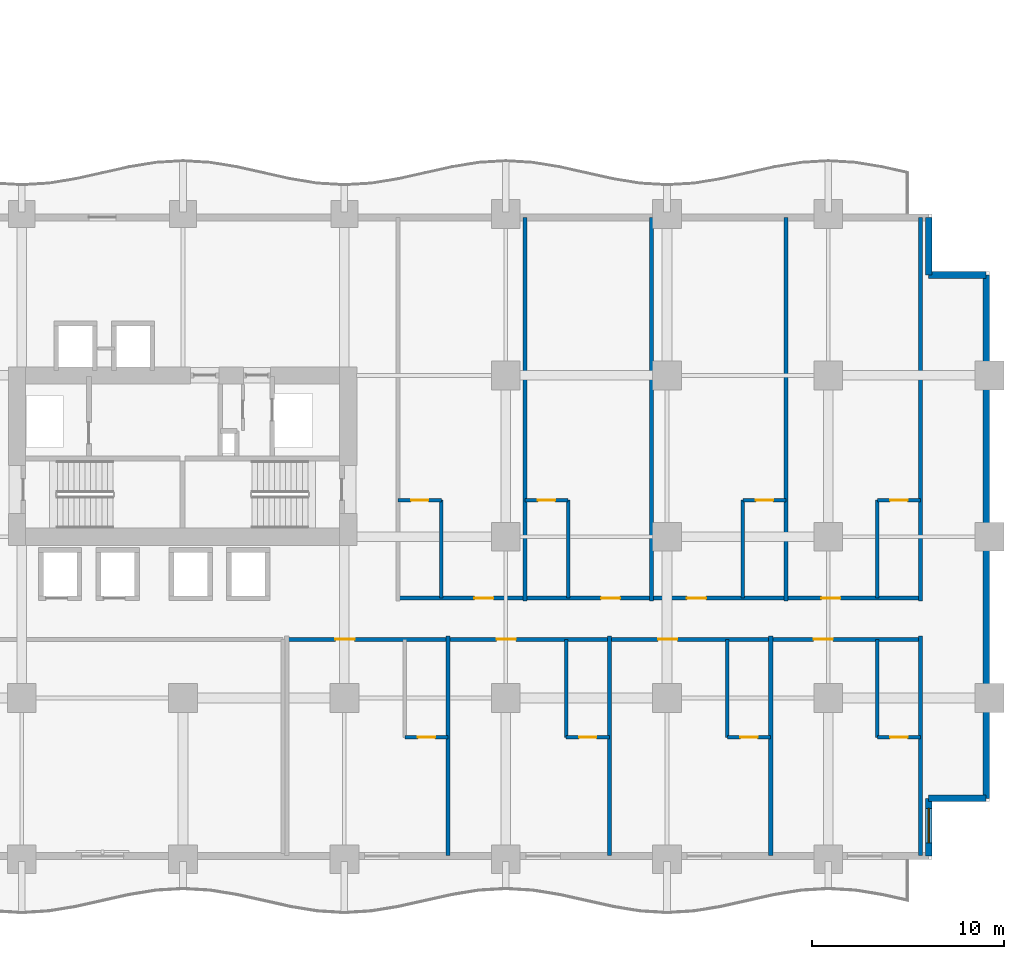
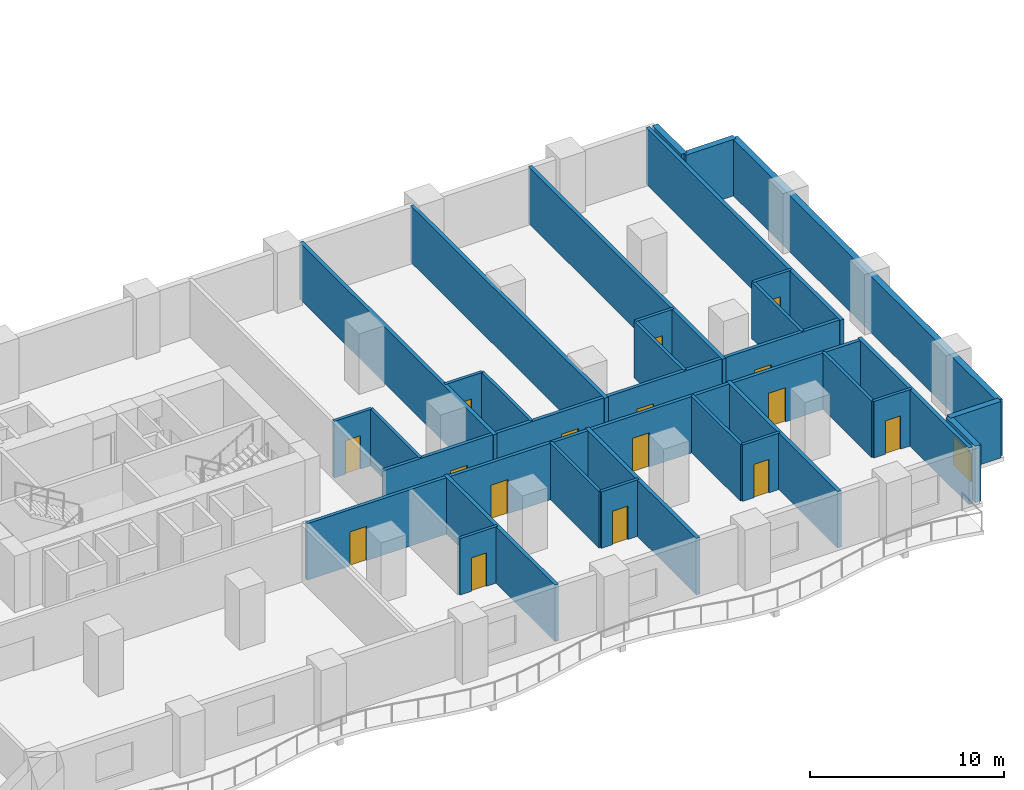
# One storey, part 13 of 21: 30 walls, 16 doors, 1 window, 17 openings.
"""IFC4 building model written with IfcOpenShell, lengths in metres."""

from ifc_helpers import new_model, si_unit, direction, frame, frame_2d, origin, place, context, subcontext, project, spatial, rectangle, extrude, material, layer, layer_set, type_object, element, fill, save


model = new_model("IFC4")

# Units and contexts
model_context = context("Model", 3, precision=1e-05, world=origin(), true_north=direction((0.0, 1.0)))
body_context = subcontext(model_context, "Body", "Model", "MODEL_VIEW")
ifc_project = project(units=[si_unit("LENGTHUNIT", "METRE"), si_unit("AREAUNIT", "SQUARE_METRE"), si_unit("VOLUMEUNIT", "CUBIC_METRE"), si_unit("PLANEANGLEUNIT", "RADIAN"), si_unit("MASSUNIT", "GRAM", prefix="KILO")], contexts=[model_context])

# Site, building, storey
site_placement = place(None, origin())
site = spatial("IfcSite", under=ifc_project, at=site_placement, CompositionType="ELEMENT")
building_placement = place(site_placement, origin())
building = spatial("IfcBuilding", under=site, at=building_placement, Name="Koriwani Terraces Tower", CompositionType="ELEMENT")
storey_placement = place(building_placement, frame((0.0, 0.0, 77.60009765625)))
storey = spatial("IfcBuildingStorey", under=building, at=storey_placement, Name="L18", CompositionType="ELEMENT", Elevation=77.60009765625)

# Wall, openings, doors
ifc_material_1 = material(Name="Autoclaved Cellular Concrete Blockwork", Category="masonry")
ifc_layer_1 = layer(ifc_material_1, 0.199951171875, Name="Autoclaved Cellular Concrete Blockwork")
ifc_layer_set_1 = layer_set([ifc_layer_1], Name="Autoclaved Cellular Concrete Blockwork")
wall_type_1 = type_object("IfcWallType", Name="WALL_CORRIDOR_200", PredefinedType="PARTITIONING", material=ifc_layer_set_1)
wall_1_placement = place(storey_placement, frame((55.800048828125, 11.449951171875, 0.0), z_axis=(0.0, 0.0, 1.0), x_axis=(1.0, 0.0, 0.0)))
wall_1 = element("IfcWall", 1, at=wall_1_placement, inside=storey, type_object=wall_type_1, Name="L18 Interior Wall WCOR-L18-SW-0", PredefinedType="PARTITIONING", context=body_context, shape_type="SweptSolid", body=[
    extrude(rectangle(XDim=33.0, YDim=0.199951171875, at=frame_2d((16.5, 0.0))), origin(), (0.0, 0.0, 1.0), 3.5498046875),
])
opening_1_placement = place(wall_1_placement, frame((2.534912109375, 0.0, 0.0)))
opening_1 = element("IfcOpeningElement", 2, at=opening_1_placement, cuts=wall_1, Name="Opening D-05", PredefinedType="OPENING", context=body_context, shape_type="SweptSolid", body=[
    extrude(rectangle(XDim=1.0, YDim=2.14990234375, at=frame_2d((0.5, 1.074951171875))), frame((0.0, 0.10986328125, 0.0), z_axis=(0.0, -1.0, 0.0), x_axis=(1.0, 0.0, 0.0)), (0.0, 0.0, 1.0), 0.219970703125),
])
opening_2_placement = place(wall_1_placement, frame((10.93505859375, 0.0, 0.0)))
opening_2 = element("IfcOpeningElement", 3, at=opening_2_placement, cuts=wall_1, Name="Opening D-05", PredefinedType="OPENING", context=body_context, shape_type="SweptSolid", body=[
    extrude(rectangle(XDim=1.0, YDim=2.14990234375, at=frame_2d((0.5, 1.074951171875))), frame((0.0, 0.10986328125, 0.0), z_axis=(0.0, -1.0, 0.0), x_axis=(1.0, 0.0, 0.0)), (0.0, 0.0, 1.0), 0.219970703125),
])
opening_3_placement = place(wall_1_placement, frame((19.3349609375, 0.0, 0.0)))
opening_3 = element("IfcOpeningElement", 4, at=opening_3_placement, cuts=wall_1, Name="Opening D-05", PredefinedType="OPENING", context=body_context, shape_type="SweptSolid", body=[
    extrude(rectangle(XDim=1.0, YDim=2.14990234375, at=frame_2d((0.5, 1.074951171875))), frame((0.0, 0.10986328125, 0.0), z_axis=(0.0, -1.0, 0.0), x_axis=(1.0, 0.0, 0.0)), (0.0, 0.0, 1.0), 0.219970703125),
])
opening_4_placement = place(wall_1_placement, frame((27.43505859375, 0.0, 0.0)))
opening_4 = element("IfcOpeningElement", 5, at=opening_4_placement, cuts=wall_1, Name="Opening D-05", PredefinedType="OPENING", context=body_context, shape_type="SweptSolid", body=[
    extrude(rectangle(XDim=1.0, YDim=2.14990234375, at=frame_2d((0.5, 1.074951171875))), frame((0.0, 0.10986328125, 0.0), z_axis=(0.0, -1.0, 0.0), x_axis=(1.0, 0.0, 0.0)), (0.0, 0.0, 1.0), 0.219970703125),
])
ifc_material_2 = material(Name="Architectural Oak Fire Door", Category="wood")
door_type_1 = type_object("IfcDoorType", Name="DOOR_SUITE_ENTRY_1000X2150", OperationType="NOTDEFINED", PredefinedType="DOOR", material=ifc_material_2)
door_1_placement = place(opening_1_placement, origin())
door_1 = element("IfcDoor", 6, at=door_1_placement, inside=storey, type_object=door_type_1, Name="Luxury Hotel Suite 18SW1 Entrance Door", OperationType="SINGLE_SWING_RIGHT", OverallHeight=2.14990234375, OverallWidth=1.0, PredefinedType="DOOR", context=body_context, shape_type="SweptSolid", body=[
    extrude(rectangle(XDim=1.0, YDim=2.14990234375, at=frame_2d((0.5, 1.074951171875))), frame((0.0, 0.02490234375, 0.0), z_axis=(0.0, -1.0, 0.0), x_axis=(1.0, 0.0, 0.0)), (0.0, 0.0, 1.0), 0.050048828125),
])
fill(opening_1, door_1)
door_2_placement = place(opening_2_placement, origin())
door_2 = element("IfcDoor", 7, at=door_2_placement, inside=storey, type_object=door_type_1, Name="Luxury Hotel Suite 18SW2 Entrance Door", OperationType="SINGLE_SWING_RIGHT", OverallHeight=2.14990234375, OverallWidth=1.0, PredefinedType="DOOR", context=body_context, shape_type="SweptSolid", body=[
    extrude(rectangle(XDim=1.0, YDim=2.14990234375, at=frame_2d((0.5, 1.074951171875))), frame((0.0, 0.02490234375, 0.0), z_axis=(0.0, -1.0, 0.0), x_axis=(1.0, 0.0, 0.0)), (0.0, 0.0, 1.0), 0.050048828125),
])
fill(opening_2, door_2)
door_3_placement = place(opening_3_placement, origin())
door_3 = element("IfcDoor", 8, at=door_3_placement, inside=storey, type_object=door_type_1, Name="Luxury Hotel Suite 18SW3 Entrance Door", OperationType="SINGLE_SWING_RIGHT", OverallHeight=2.14990234375, OverallWidth=1.0, PredefinedType="DOOR", context=body_context, shape_type="SweptSolid", body=[
    extrude(rectangle(XDim=1.0, YDim=2.14990234375, at=frame_2d((0.5, 1.074951171875))), frame((0.0, 0.02490234375, 0.0), z_axis=(0.0, -1.0, 0.0), x_axis=(1.0, 0.0, 0.0)), (0.0, 0.0, 1.0), 0.050048828125),
])
fill(opening_3, door_3)
door_4_placement = place(opening_4_placement, origin())
door_4 = element("IfcDoor", 9, at=door_4_placement, inside=storey, type_object=door_type_1, Name="Luxury Hotel Suite 18SW4 Entrance Door", OperationType="SINGLE_SWING_RIGHT", OverallHeight=2.14990234375, OverallWidth=1.0, PredefinedType="DOOR", context=body_context, shape_type="SweptSolid", body=[
    extrude(rectangle(XDim=1.0, YDim=2.14990234375, at=frame_2d((0.5, 1.074951171875))), frame((0.0, 0.02490234375, 0.0), z_axis=(0.0, -1.0, 0.0), x_axis=(1.0, 0.0, 0.0)), (0.0, 0.0, 1.0), 0.050048828125),
])
fill(opening_4, door_4)

wall_2_placement = place(storey_placement, frame((61.60009765625, 13.60009765625, 0.0), z_axis=(0.0, 0.0, 1.0), x_axis=(1.0, 0.0, 0.0)))
wall_2 = element("IfcWall", 10, at=wall_2_placement, inside=storey, type_object=wall_type_1, Name="L18 Interior Wall WCOR-L18-SE-0", PredefinedType="PARTITIONING", context=body_context, shape_type="SweptSolid", body=[
    extrude(rectangle(XDim=27.199951171875, YDim=0.199951171875, at=frame_2d((13.60009765625, 0.0))), origin(), (0.0, 0.0, 1.0), 3.5498046875),
])
opening_5_placement = place(wall_2_placement, frame((3.965087890625, 0.0, 0.0)))
opening_5 = element("IfcOpeningElement", 11, at=opening_5_placement, cuts=wall_2, Name="Opening D-05", PredefinedType="OPENING", context=body_context, shape_type="SweptSolid", body=[
    extrude(rectangle(XDim=1.0, YDim=2.14990234375, at=frame_2d((0.5, 1.074951171875))), frame((0.0, 0.10986328125, 0.0), z_axis=(0.0, -1.0, 0.0), x_axis=(1.0, 0.0, 0.0)), (0.0, 0.0, 1.0), 0.219970703125),
])
opening_6_placement = place(wall_2_placement, frame((10.56494140625, 0.0, 0.0)))
opening_6 = element("IfcOpeningElement", 12, at=opening_6_placement, cuts=wall_2, Name="Opening D-05", PredefinedType="OPENING", context=body_context, shape_type="SweptSolid", body=[
    extrude(rectangle(XDim=1.0, YDim=2.14990234375, at=frame_2d((0.5, 1.074951171875))), frame((0.0, 0.10986328125, 0.0), z_axis=(0.0, -1.0, 0.0), x_axis=(1.0, 0.0, 0.0)), (0.0, 0.0, 1.0), 0.219970703125),
])
opening_7_placement = place(wall_2_placement, frame((15.034912109375, 0.0, 0.0)))
opening_7 = element("IfcOpeningElement", 13, at=opening_7_placement, cuts=wall_2, Name="Opening D-05", PredefinedType="OPENING", context=body_context, shape_type="SweptSolid", body=[
    extrude(rectangle(XDim=1.0, YDim=2.14990234375, at=frame_2d((0.5, 1.074951171875))), frame((0.0, 0.10986328125, 0.0), z_axis=(0.0, -1.0, 0.0), x_axis=(1.0, 0.0, 0.0)), (0.0, 0.0, 1.0), 0.219970703125),
])
opening_8_placement = place(wall_2_placement, frame((22.034912109375, 0.0, 0.0)))
opening_8 = element("IfcOpeningElement", 14, at=opening_8_placement, cuts=wall_2, Name="Opening D-05", PredefinedType="OPENING", context=body_context, shape_type="SweptSolid", body=[
    extrude(rectangle(XDim=1.0, YDim=2.14990234375, at=frame_2d((0.5, 1.074951171875))), frame((0.0, 0.10986328125, 0.0), z_axis=(0.0, -1.0, 0.0), x_axis=(1.0, 0.0, 0.0)), (0.0, 0.0, 1.0), 0.219970703125),
])
door_5_placement = place(opening_5_placement, origin())
door_5 = element("IfcDoor", 15, at=door_5_placement, inside=storey, type_object=door_type_1, Name="Luxury Hotel Suite 18SE1 Entrance Door", OperationType="SINGLE_SWING_RIGHT", OverallHeight=2.14990234375, OverallWidth=1.0, PredefinedType="DOOR", context=body_context, shape_type="SweptSolid", body=[
    extrude(rectangle(XDim=1.0, YDim=2.14990234375, at=frame_2d((0.5, 1.074951171875))), frame((0.0, 0.02490234375, 0.0), z_axis=(0.0, -1.0, 0.0), x_axis=(1.0, 0.0, 0.0)), (0.0, 0.0, 1.0), 0.050048828125),
])
fill(opening_5, door_5)
door_6_placement = place(opening_6_placement, origin())
door_6 = element("IfcDoor", 16, at=door_6_placement, inside=storey, type_object=door_type_1, Name="Luxury Hotel Suite 18SE2 Entrance Door", OperationType="SINGLE_SWING_RIGHT", OverallHeight=2.14990234375, OverallWidth=1.0, PredefinedType="DOOR", context=body_context, shape_type="SweptSolid", body=[
    extrude(rectangle(XDim=1.0, YDim=2.14990234375, at=frame_2d((0.5, 1.074951171875))), frame((0.0, 0.02490234375, 0.0), z_axis=(0.0, -1.0, 0.0), x_axis=(1.0, 0.0, 0.0)), (0.0, 0.0, 1.0), 0.050048828125),
])
fill(opening_6, door_6)
door_7_placement = place(opening_7_placement, origin())
door_7 = element("IfcDoor", 17, at=door_7_placement, inside=storey, type_object=door_type_1, Name="Luxury Hotel Suite 18SE3 Entrance Door", OperationType="SINGLE_SWING_RIGHT", OverallHeight=2.14990234375, OverallWidth=1.0, PredefinedType="DOOR", context=body_context, shape_type="SweptSolid", body=[
    extrude(rectangle(XDim=1.0, YDim=2.14990234375, at=frame_2d((0.5, 1.074951171875))), frame((0.0, 0.02490234375, 0.0), z_axis=(0.0, -1.0, 0.0), x_axis=(1.0, 0.0, 0.0)), (0.0, 0.0, 1.0), 0.050048828125),
])
fill(opening_7, door_7)
door_8_placement = place(opening_8_placement, origin())
door_8 = element("IfcDoor", 18, at=door_8_placement, inside=storey, type_object=door_type_1, Name="Luxury Hotel Suite 18SE4 Entrance Door", OperationType="SINGLE_SWING_RIGHT", OverallHeight=2.14990234375, OverallWidth=1.0, PredefinedType="DOOR", context=body_context, shape_type="SweptSolid", body=[
    extrude(rectangle(XDim=1.0, YDim=2.14990234375, at=frame_2d((0.5, 1.074951171875))), frame((0.0, 0.02490234375, 0.0), z_axis=(0.0, -1.0, 0.0), x_axis=(1.0, 0.0, 0.0)), (0.0, 0.0, 1.0), 0.050048828125),
])
fill(opening_8, door_8)

# Walls
ifc_layer_2 = layer(ifc_material_1, 0.219970703125, Name="Autoclaved Cellular Concrete Blockwork")
ifc_layer_set_2 = layer_set([ifc_layer_2], Name="Autoclaved Cellular Concrete Blockwork")
wall_type_2 = type_object("IfcWallType", Name="WALL_DEMISING_220", PredefinedType="PARTITIONING", material=ifc_layer_set_2)
for number, where, z_axis, x_axis, name in (
    (19, (64.199951171875, 0.199951171875, 0.0), (0.0, 0.0, 1.0), (0.0, 1.0, 0.0), "L18 Interior Wall WDEM-L18-SW-1"),
    (20, (72.60009765625, 0.199951171875, 0.0), (0.0, 0.0, 1.0), (0.0, 1.0, 0.0), "L18 Interior Wall WDEM-L18-SW-2"),
    (21, (81.0, 0.199951171875, 0.0), (0.0, 0.0, 1.0), (0.0, 1.0, 0.0), "L18 Interior Wall WDEM-L18-SW-3"),
    (22, (88.800048828125, 0.199951171875, 0.0), (0.0, 0.0, 1.0), (0.0, 1.0, 0.0), "L18 Interior Wall WDEME-L18-SW"),
):
    element("IfcWall", number, at=place(storey_placement, frame(where, z_axis=z_axis, x_axis=x_axis)), inside=storey, type_object=wall_type_2, Name=name, PredefinedType="PARTITIONING", context=body_context, shape_type="SweptSolid", body=[
        extrude(rectangle(XDim=11.429931640625, YDim=0.219970703125, at=frame_2d((5.71484375, 0.0))), origin(), (0.0, 0.0, 1.0), 3.5498046875),
    ])
for number, where, z_axis, x_axis, name in (
    (23, (68.199951171875, 13.449951171875, 0.0), (0.0, 0.0, 1.0), (0.0, 1.0, 0.0), "L18 Interior Wall WDEM-L18-SE-1"),
    (24, (74.800048828125, 13.449951171875, 0.0), (0.0, 0.0, 1.0), (0.0, 1.0, 0.0), "L18 Interior Wall WDEM-L18-SE-2"),
    (25, (81.800048828125, 13.449951171875, 0.0), (0.0, 0.0, 1.0), (0.0, 1.0, 0.0), "L18 Interior Wall WDEM-L18-SE-3"),
    (26, (88.800048828125, 13.449951171875, 0.0), (0.0, 0.0, 1.0), (0.0, 1.0, 0.0), "L18 Interior Wall WDEME-L18-SE"),
):
    element("IfcWall", number, at=place(storey_placement, frame(where, z_axis=z_axis, x_axis=x_axis)), inside=storey, type_object=wall_type_2, Name=name, PredefinedType="PARTITIONING", context=body_context, shape_type="SweptSolid", body=[
        extrude(rectangle(XDim=19.97998046875, YDim=0.219970703125, at=frame_2d((9.989990234375, 0.0))), origin(), (0.0, 0.0, 1.0), 3.5498046875),
    ])
ifc_material_3 = material(Name="Concrete C50/60", Category="concrete")
ifc_layer_3 = layer(ifc_material_3, 0.35009765625, Name="Concrete C50/60")
ifc_layer_set_3 = layer_set([ifc_layer_3], Name="Concrete C50/60")
wall_type_3 = type_object("IfcWallType", Name="WALL_EXT_BRUTALIST_350", PredefinedType="STANDARD", material=ifc_layer_set_3)
for number, where, z_axis, x_axis, name in (
    (27, (89.22509765625, 33.425048828125, 0.0), (0.0, 0.0, 1.0), (0.0, -1.0, 0.0), "L18 Fair-Faced Brutalist Exterior Wall (N10)"),
    (28, (89.22509765625, 30.425048828125, 0.0), (0.0, 0.0, 1.0), (1.0, 0.0, 0.0), "L18 Fair-Faced Brutalist Exterior Wall (N11)"),
):
    element("IfcWall", number, at=place(storey_placement, frame(where, z_axis=z_axis, x_axis=x_axis)), inside=storey, type_object=wall_type_3, Name=name, PredefinedType="STANDARD", context=body_context, shape_type="SweptSolid", body=[
        extrude(rectangle(XDim=3.0, YDim=0.35009765625, at=frame_2d((1.5, 0.0))), origin(), (0.0, 0.0, 1.0), 3.5498046875),
    ])
wall_3_placement = place(storey_placement, frame((92.22509765625, 30.425048828125, 0.0), z_axis=(0.0, 0.0, 1.0), x_axis=(0.0, -1.0, 0.0)))
element("IfcWall", 29, at=wall_3_placement, inside=storey, type_object=wall_type_3, Name="L18 Fair-Faced Brutalist Exterior Wall (E_TIP)", PredefinedType="STANDARD", context=body_context, shape_type="SweptSolid", body=[
    extrude(rectangle(XDim=27.25, YDim=0.35009765625, at=frame_2d((13.625, 0.0))), origin(), (0.0, 0.0, 1.0), 3.5498046875),
])
wall_4_placement = place(storey_placement, frame((92.22509765625, 3.175048828125, 0.0), z_axis=(0.0, 0.0, 1.0), x_axis=(-1.0, 0.0, 0.0)))
element("IfcWall", 30, at=wall_4_placement, inside=storey, type_object=wall_type_3, Name="L18 Fair-Faced Brutalist Exterior Wall (N13)", PredefinedType="STANDARD", context=body_context, shape_type="SweptSolid", body=[
    extrude(rectangle(XDim=3.0, YDim=0.35009765625, at=frame_2d((1.5, 0.0))), origin(), (0.0, 0.0, 1.0), 3.5498046875),
])

# Wall, opening, window
wall_5_placement = place(storey_placement, frame((89.22509765625, 3.175048828125, 0.0), z_axis=(0.0, 0.0, 1.0), x_axis=(0.0, -1.0, 0.0)))
wall_5 = element("IfcWall", 31, at=wall_5_placement, inside=storey, type_object=wall_type_3, Name="L18 Fair-Faced Brutalist Exterior Wall (N14)", PredefinedType="STANDARD", context=body_context, shape_type="SweptSolid", body=[
    extrude(rectangle(XDim=3.0, YDim=0.35009765625, at=frame_2d((1.5, 0.0))), origin(), (0.0, 0.0, 1.0), 3.5498046875),
])
opening_9_placement = place(wall_5_placement, frame((0.5224609375, 0.0, 0.85009765625)))
opening_9 = element("IfcOpeningElement", 32, at=opening_9_placement, cuts=wall_5, Name="Opening W-04", PredefinedType="OPENING", context=body_context, shape_type="SweptSolid", body=[
    extrude(rectangle(XDim=1.800048828125, YDim=1.800048828125, at=frame_2d((0.89990234375, 0.89990234375))), frame((0.0, 0.18505859375, 0.0), z_axis=(0.0, -1.0, 0.0), x_axis=(1.0, 0.0, 0.0)), (0.0, 0.0, 1.0), 0.3701171875),
])
ifc_material_4 = material(Name="Tempered Laminated Low-E Glass", Category="glass")
window_type = type_object("IfcWindowType", Name="WIN_RES_BED_1800X1800", PartitioningType="DOUBLE_PANEL_VERTICAL", PredefinedType="WINDOW", material=ifc_material_4)
window_placement = place(opening_9_placement, origin())
window = element("IfcWindow", 33, at=window_placement, inside=storey, type_object=window_type, Name="L18 Exterior Window (N14-R45)", OverallHeight=1.800048828125, OverallWidth=1.800048828125, PartitioningType="SINGLE_PANEL", PredefinedType="WINDOW", context=body_context, shape_type="SweptSolid", body=[
    extrude(rectangle(XDim=1.800048828125, YDim=1.800048828125, at=frame_2d((0.89990234375, 0.89990234375))), frame((0.0, 0.030029296875, 0.0), z_axis=(0.0, -1.0, 0.0), x_axis=(1.0, 0.0, 0.0)), (0.0, 0.0, 1.0), 0.06005859375),
])
fill(opening_9, window)

# Wall, opening, door
ifc_material_5 = material(Name="Fire-Rated Acoustic Gypsum Partition", Category="masonry")
ifc_layer_4 = layer(ifc_material_5, 0.179931640625, Name="Fire-Rated Acoustic Gypsum Partition")
ifc_layer_set_4 = layer_set([ifc_layer_4], Name="Fire-Rated Acoustic Gypsum Partition")
wall_type_4 = type_object("IfcWallType", Name="WALL_PLUMBING_180", PredefinedType="PLUMBINGWALL", material=ifc_layer_set_4)
wall_6_placement = place(storey_placement, frame((61.949951171875, 6.35009765625, 0.0), z_axis=(0.0, 0.0, 1.0), x_axis=(1.0, 0.0, 0.0)))
wall_6 = element("IfcWall", 34, at=wall_6_placement, inside=storey, type_object=wall_type_4, Name="L18 Interior Wall WBTH1-L18-SW-0", PredefinedType="PLUMBINGWALL", context=body_context, shape_type="SweptSolid", body=[
    extrude(rectangle(XDim=2.25, YDim=0.179931640625, at=frame_2d((1.125, 0.0))), origin(), (0.0, 0.0, 1.0), 3.5498046875),
])
opening_10_placement = place(wall_6_placement, frame((0.675048828125, 0.0, 0.0)))
opening_10 = element("IfcOpeningElement", 35, at=opening_10_placement, cuts=wall_6, Name="Opening D-07", PredefinedType="OPENING", context=body_context, shape_type="SweptSolid", body=[
    extrude(rectangle(XDim=0.89990234375, YDim=2.10009765625, at=frame_2d((0.449951171875, 1.050048828125))), frame((0.0, 0.10009765625, 0.0), z_axis=(0.0, -1.0, 0.0), x_axis=(1.0, 0.0, 0.0)), (0.0, 0.0, 1.0), 0.199951171875),
])
door_type_2 = type_object("IfcDoorType", Name="DOOR_BATH_INT_900X2100", OperationType="NOTDEFINED", PredefinedType="DOOR", material=ifc_material_2)
door_9_placement = place(opening_10_placement, origin())
door_9 = element("IfcDoor", 36, at=door_9_placement, inside=storey, type_object=door_type_2, Name="En-Suite Bathroom 18SW1 Door", OperationType="SINGLE_SWING_LEFT", OverallHeight=2.10009765625, OverallWidth=0.89990234375, PredefinedType="DOOR", context=body_context, shape_type="SweptSolid", body=[
    extrude(rectangle(XDim=0.89990234375, YDim=2.10009765625, at=frame_2d((0.449951171875, 1.050048828125))), frame((0.0, 0.02490234375, 0.0), z_axis=(0.0, -1.0, 0.0), x_axis=(1.0, 0.0, 0.0)), (0.0, 0.0, 1.0), 0.050048828125),
])
fill(opening_10, door_9)

wall_7_placement = place(storey_placement, frame((70.35009765625, 6.35009765625, 0.0), z_axis=(0.0, 0.0, 1.0), x_axis=(1.0, 0.0, 0.0)))
wall_7 = element("IfcWall", 37, at=wall_7_placement, inside=storey, type_object=wall_type_4, Name="L18 Interior Wall WBTH1-L18-SW-1", PredefinedType="PLUMBINGWALL", context=body_context, shape_type="SweptSolid", body=[
    extrude(rectangle(XDim=2.25, YDim=0.179931640625, at=frame_2d((1.125, 0.0))), origin(), (0.0, 0.0, 1.0), 3.5498046875),
])
opening_11_placement = place(wall_7_placement, frame((0.675048828125, 0.0, 0.0)))
opening_11 = element("IfcOpeningElement", 38, at=opening_11_placement, cuts=wall_7, Name="Opening D-07", PredefinedType="OPENING", context=body_context, shape_type="SweptSolid", body=[
    extrude(rectangle(XDim=0.89990234375, YDim=2.10009765625, at=frame_2d((0.449951171875, 1.050048828125))), frame((0.0, 0.10009765625, 0.0), z_axis=(0.0, -1.0, 0.0), x_axis=(1.0, 0.0, 0.0)), (0.0, 0.0, 1.0), 0.199951171875),
])
door_10_placement = place(opening_11_placement, origin())
door_10 = element("IfcDoor", 39, at=door_10_placement, inside=storey, type_object=door_type_2, Name="En-Suite Bathroom 18SW2 Door", OperationType="SINGLE_SWING_LEFT", OverallHeight=2.10009765625, OverallWidth=0.89990234375, PredefinedType="DOOR", context=body_context, shape_type="SweptSolid", body=[
    extrude(rectangle(XDim=0.89990234375, YDim=2.10009765625, at=frame_2d((0.449951171875, 1.050048828125))), frame((0.0, 0.02490234375, 0.0), z_axis=(0.0, -1.0, 0.0), x_axis=(1.0, 0.0, 0.0)), (0.0, 0.0, 1.0), 0.050048828125),
])
fill(opening_11, door_10)

# Wall
wall_8_placement = place(storey_placement, frame((70.35009765625, 6.35009765625, 0.0), z_axis=(0.0, 0.0, 1.0), x_axis=(0.0, 1.0, 0.0)))
element("IfcWall", 40, at=wall_8_placement, inside=storey, type_object=wall_type_4, Name="L18 Interior Wall WBTH2-L18-SW-1", PredefinedType="PLUMBINGWALL", context=body_context, shape_type="SweptSolid", body=[
    extrude(rectangle(XDim=5.099853515625, YDim=0.179931640625, at=frame_2d((2.5498046875, 0.0))), origin(), (0.0, 0.0, 1.0), 3.5498046875),
])

# Wall, opening, door
wall_9_placement = place(storey_placement, frame((78.75, 6.35009765625, 0.0), z_axis=(0.0, 0.0, 1.0), x_axis=(1.0, 0.0, 0.0)))
wall_9 = element("IfcWall", 41, at=wall_9_placement, inside=storey, type_object=wall_type_4, Name="L18 Interior Wall WBTH1-L18-SW-2", PredefinedType="PLUMBINGWALL", context=body_context, shape_type="SweptSolid", body=[
    extrude(rectangle(XDim=2.25, YDim=0.179931640625, at=frame_2d((1.125, 0.0))), origin(), (0.0, 0.0, 1.0), 3.5498046875),
])
opening_12_placement = place(wall_9_placement, frame((0.675048828125, 0.0, 0.0)))
opening_12 = element("IfcOpeningElement", 42, at=opening_12_placement, cuts=wall_9, Name="Opening D-07", PredefinedType="OPENING", context=body_context, shape_type="SweptSolid", body=[
    extrude(rectangle(XDim=0.89990234375, YDim=2.10009765625, at=frame_2d((0.449951171875, 1.050048828125))), frame((0.0, 0.10009765625, 0.0), z_axis=(0.0, -1.0, 0.0), x_axis=(1.0, 0.0, 0.0)), (0.0, 0.0, 1.0), 0.199951171875),
])
door_11_placement = place(opening_12_placement, origin())
door_11 = element("IfcDoor", 43, at=door_11_placement, inside=storey, type_object=door_type_2, Name="En-Suite Bathroom 18SW3 Door", OperationType="SINGLE_SWING_LEFT", OverallHeight=2.10009765625, OverallWidth=0.89990234375, PredefinedType="DOOR", context=body_context, shape_type="SweptSolid", body=[
    extrude(rectangle(XDim=0.89990234375, YDim=2.10009765625, at=frame_2d((0.449951171875, 1.050048828125))), frame((0.0, 0.02490234375, 0.0), z_axis=(0.0, -1.0, 0.0), x_axis=(1.0, 0.0, 0.0)), (0.0, 0.0, 1.0), 0.050048828125),
])
fill(opening_12, door_11)

# Wall
wall_10_placement = place(storey_placement, frame((78.75, 6.35009765625, 0.0), z_axis=(0.0, 0.0, 1.0), x_axis=(0.0, 1.0, 0.0)))
element("IfcWall", 44, at=wall_10_placement, inside=storey, type_object=wall_type_4, Name="L18 Interior Wall WBTH2-L18-SW-2", PredefinedType="PLUMBINGWALL", context=body_context, shape_type="SweptSolid", body=[
    extrude(rectangle(XDim=5.099853515625, YDim=0.179931640625, at=frame_2d((2.5498046875, 0.0))), origin(), (0.0, 0.0, 1.0), 3.5498046875),
])

# Wall, opening, door
wall_11_placement = place(storey_placement, frame((86.550048828125, 6.35009765625, 0.0), z_axis=(0.0, 0.0, 1.0), x_axis=(1.0, 0.0, 0.0)))
wall_11 = element("IfcWall", 45, at=wall_11_placement, inside=storey, type_object=wall_type_4, Name="L18 Interior Wall WBTH1-L18-SW-3", PredefinedType="PLUMBINGWALL", context=body_context, shape_type="SweptSolid", body=[
    extrude(rectangle(XDim=2.25, YDim=0.179931640625, at=frame_2d((1.125, 0.0))), origin(), (0.0, 0.0, 1.0), 3.5498046875),
])
opening_13_placement = place(wall_11_placement, frame((0.675048828125, 0.0, 0.0)))
opening_13 = element("IfcOpeningElement", 46, at=opening_13_placement, cuts=wall_11, Name="Opening D-07", PredefinedType="OPENING", context=body_context, shape_type="SweptSolid", body=[
    extrude(rectangle(XDim=0.89990234375, YDim=2.10009765625, at=frame_2d((0.449951171875, 1.050048828125))), frame((0.0, 0.10009765625, 0.0), z_axis=(0.0, -1.0, 0.0), x_axis=(1.0, 0.0, 0.0)), (0.0, 0.0, 1.0), 0.199951171875),
])
door_12_placement = place(opening_13_placement, origin())
door_12 = element("IfcDoor", 47, at=door_12_placement, inside=storey, type_object=door_type_2, Name="En-Suite Bathroom 18SW4 Door", OperationType="SINGLE_SWING_LEFT", OverallHeight=2.10009765625, OverallWidth=0.89990234375, PredefinedType="DOOR", context=body_context, shape_type="SweptSolid", body=[
    extrude(rectangle(XDim=0.89990234375, YDim=2.10009765625, at=frame_2d((0.449951171875, 1.050048828125))), frame((0.0, 0.02490234375, 0.0), z_axis=(0.0, -1.0, 0.0), x_axis=(1.0, 0.0, 0.0)), (0.0, 0.0, 1.0), 0.050048828125),
])
fill(opening_13, door_12)

# Wall
wall_12_placement = place(storey_placement, frame((86.550048828125, 6.35009765625, 0.0), z_axis=(0.0, 0.0, 1.0), x_axis=(0.0, 1.0, 0.0)))
element("IfcWall", 48, at=wall_12_placement, inside=storey, type_object=wall_type_4, Name="L18 Interior Wall WBTH2-L18-SW-3", PredefinedType="PLUMBINGWALL", context=body_context, shape_type="SweptSolid", body=[
    extrude(rectangle(XDim=5.099853515625, YDim=0.179931640625, at=frame_2d((2.5498046875, 0.0))), origin(), (0.0, 0.0, 1.0), 3.5498046875),
])

# Wall, opening, door
wall_13_placement = place(storey_placement, frame((61.60009765625, 18.699951171875, 0.0), z_axis=(0.0, 0.0, 1.0), x_axis=(1.0, 0.0, 0.0)))
wall_13 = element("IfcWall", 49, at=wall_13_placement, inside=storey, type_object=wall_type_4, Name="L18 Interior Wall WBTH1-L18-SE-0", PredefinedType="PLUMBINGWALL", context=body_context, shape_type="SweptSolid", body=[
    extrude(rectangle(XDim=2.25, YDim=0.179931640625, at=frame_2d((1.125, 0.0))), origin(), (0.0, 0.0, 1.0), 3.5498046875),
])
opening_14_placement = place(wall_13_placement, frame((0.675048828125, 0.0, 0.0)))
opening_14 = element("IfcOpeningElement", 50, at=opening_14_placement, cuts=wall_13, Name="Opening D-07", PredefinedType="OPENING", context=body_context, shape_type="SweptSolid", body=[
    extrude(rectangle(XDim=0.89990234375, YDim=2.10009765625, at=frame_2d((0.449951171875, 1.050048828125))), frame((0.0, 0.10009765625, 0.0), z_axis=(0.0, -1.0, 0.0), x_axis=(1.0, 0.0, 0.0)), (0.0, 0.0, 1.0), 0.199951171875),
])
door_13_placement = place(opening_14_placement, origin())
door_13 = element("IfcDoor", 51, at=door_13_placement, inside=storey, type_object=door_type_2, Name="En-Suite Bathroom 18SE1 Door", OperationType="SINGLE_SWING_LEFT", OverallHeight=2.10009765625, OverallWidth=0.89990234375, PredefinedType="DOOR", context=body_context, shape_type="SweptSolid", body=[
    extrude(rectangle(XDim=0.89990234375, YDim=2.10009765625, at=frame_2d((0.449951171875, 1.050048828125))), frame((0.0, 0.02490234375, 0.0), z_axis=(0.0, -1.0, 0.0), x_axis=(1.0, 0.0, 0.0)), (0.0, 0.0, 1.0), 0.050048828125),
])
fill(opening_14, door_13)

# Wall
wall_14_placement = place(storey_placement, frame((63.85009765625, 13.60009765625, 0.0), z_axis=(0.0, 0.0, 1.0), x_axis=(0.0, 1.0, 0.0)))
element("IfcWall", 52, at=wall_14_placement, inside=storey, type_object=wall_type_4, Name="L18 Interior Wall WBTH2-L18-SE-0", PredefinedType="PLUMBINGWALL", context=body_context, shape_type="SweptSolid", body=[
    extrude(rectangle(XDim=5.099853515625, YDim=0.179931640625, at=frame_2d((2.5498046875, 0.0))), origin(), (0.0, 0.0, 1.0), 3.5498046875),
])

# Wall, opening, door
wall_15_placement = place(storey_placement, frame((68.199951171875, 18.699951171875, 0.0), z_axis=(0.0, 0.0, 1.0), x_axis=(1.0, 0.0, 0.0)))
wall_15 = element("IfcWall", 53, at=wall_15_placement, inside=storey, type_object=wall_type_4, Name="L18 Interior Wall WBTH1-L18-SE-1", PredefinedType="PLUMBINGWALL", context=body_context, shape_type="SweptSolid", body=[
    extrude(rectangle(XDim=2.25, YDim=0.179931640625, at=frame_2d((1.125, 0.0))), origin(), (0.0, 0.0, 1.0), 3.5498046875),
])
opening_15_placement = place(wall_15_placement, frame((0.675048828125, 0.0, 0.0)))
opening_15 = element("IfcOpeningElement", 54, at=opening_15_placement, cuts=wall_15, Name="Opening D-07", PredefinedType="OPENING", context=body_context, shape_type="SweptSolid", body=[
    extrude(rectangle(XDim=0.89990234375, YDim=2.10009765625, at=frame_2d((0.449951171875, 1.050048828125))), frame((0.0, 0.10009765625, 0.0), z_axis=(0.0, -1.0, 0.0), x_axis=(1.0, 0.0, 0.0)), (0.0, 0.0, 1.0), 0.199951171875),
])
door_14_placement = place(opening_15_placement, origin())
door_14 = element("IfcDoor", 55, at=door_14_placement, inside=storey, type_object=door_type_2, Name="En-Suite Bathroom 18SE2 Door", OperationType="SINGLE_SWING_LEFT", OverallHeight=2.10009765625, OverallWidth=0.89990234375, PredefinedType="DOOR", context=body_context, shape_type="SweptSolid", body=[
    extrude(rectangle(XDim=0.89990234375, YDim=2.10009765625, at=frame_2d((0.449951171875, 1.050048828125))), frame((0.0, 0.02490234375, 0.0), z_axis=(0.0, -1.0, 0.0), x_axis=(1.0, 0.0, 0.0)), (0.0, 0.0, 1.0), 0.050048828125),
])
fill(opening_15, door_14)

# Wall
wall_16_placement = place(storey_placement, frame((70.449951171875, 13.60009765625, 0.0), z_axis=(0.0, 0.0, 1.0), x_axis=(0.0, 1.0, 0.0)))
element("IfcWall", 56, at=wall_16_placement, inside=storey, type_object=wall_type_4, Name="L18 Interior Wall WBTH2-L18-SE-1", PredefinedType="PLUMBINGWALL", context=body_context, shape_type="SweptSolid", body=[
    extrude(rectangle(XDim=5.099853515625, YDim=0.179931640625, at=frame_2d((2.5498046875, 0.0))), origin(), (0.0, 0.0, 1.0), 3.5498046875),
])

# Wall, opening, door
wall_17_placement = place(storey_placement, frame((79.550048828125, 18.699951171875, 0.0), z_axis=(0.0, 0.0, 1.0), x_axis=(1.0, 0.0, 0.0)))
wall_17 = element("IfcWall", 57, at=wall_17_placement, inside=storey, type_object=wall_type_4, Name="L18 Interior Wall WBTH1-L18-SE-2", PredefinedType="PLUMBINGWALL", context=body_context, shape_type="SweptSolid", body=[
    extrude(rectangle(XDim=2.25, YDim=0.179931640625, at=frame_2d((1.125, 0.0))), origin(), (0.0, 0.0, 1.0), 3.5498046875),
])
opening_16_placement = place(wall_17_placement, frame((0.675048828125, 0.0, 0.0)))
opening_16 = element("IfcOpeningElement", 58, at=opening_16_placement, cuts=wall_17, Name="Opening D-07", PredefinedType="OPENING", context=body_context, shape_type="SweptSolid", body=[
    extrude(rectangle(XDim=0.89990234375, YDim=2.10009765625, at=frame_2d((0.449951171875, 1.050048828125))), frame((0.0, 0.10009765625, 0.0), z_axis=(0.0, -1.0, 0.0), x_axis=(1.0, 0.0, 0.0)), (0.0, 0.0, 1.0), 0.199951171875),
])
door_15_placement = place(opening_16_placement, origin())
door_15 = element("IfcDoor", 59, at=door_15_placement, inside=storey, type_object=door_type_2, Name="En-Suite Bathroom 18SE3 Door", OperationType="SINGLE_SWING_LEFT", OverallHeight=2.10009765625, OverallWidth=0.89990234375, PredefinedType="DOOR", context=body_context, shape_type="SweptSolid", body=[
    extrude(rectangle(XDim=0.89990234375, YDim=2.10009765625, at=frame_2d((0.449951171875, 1.050048828125))), frame((0.0, 0.02490234375, 0.0), z_axis=(0.0, -1.0, 0.0), x_axis=(1.0, 0.0, 0.0)), (0.0, 0.0, 1.0), 0.050048828125),
])
fill(opening_16, door_15)

# Wall
wall_18_placement = place(storey_placement, frame((79.550048828125, 13.60009765625, 0.0), z_axis=(0.0, 0.0, 1.0), x_axis=(0.0, 1.0, 0.0)))
element("IfcWall", 60, at=wall_18_placement, inside=storey, type_object=wall_type_4, Name="L18 Interior Wall WBTH2-L18-SE-2", PredefinedType="PLUMBINGWALL", context=body_context, shape_type="SweptSolid", body=[
    extrude(rectangle(XDim=5.099853515625, YDim=0.179931640625, at=frame_2d((2.5498046875, 0.0))), origin(), (0.0, 0.0, 1.0), 3.5498046875),
])

# Wall, opening, door
wall_19_placement = place(storey_placement, frame((86.550048828125, 18.699951171875, 0.0), z_axis=(0.0, 0.0, 1.0), x_axis=(1.0, 0.0, 0.0)))
wall_19 = element("IfcWall", 61, at=wall_19_placement, inside=storey, type_object=wall_type_4, Name="L18 Interior Wall WBTH1-L18-SE-3", PredefinedType="PLUMBINGWALL", context=body_context, shape_type="SweptSolid", body=[
    extrude(rectangle(XDim=2.25, YDim=0.179931640625, at=frame_2d((1.125, 0.0))), origin(), (0.0, 0.0, 1.0), 3.5498046875),
])
opening_17_placement = place(wall_19_placement, frame((0.675048828125, 0.0, 0.0)))
opening_17 = element("IfcOpeningElement", 62, at=opening_17_placement, cuts=wall_19, Name="Opening D-07", PredefinedType="OPENING", context=body_context, shape_type="SweptSolid", body=[
    extrude(rectangle(XDim=0.89990234375, YDim=2.10009765625, at=frame_2d((0.449951171875, 1.050048828125))), frame((0.0, 0.10009765625, 0.0), z_axis=(0.0, -1.0, 0.0), x_axis=(1.0, 0.0, 0.0)), (0.0, 0.0, 1.0), 0.199951171875),
])
door_16_placement = place(opening_17_placement, origin())
door_16 = element("IfcDoor", 63, at=door_16_placement, inside=storey, type_object=door_type_2, Name="En-Suite Bathroom 18SE4 Door", OperationType="SINGLE_SWING_LEFT", OverallHeight=2.10009765625, OverallWidth=0.89990234375, PredefinedType="DOOR", context=body_context, shape_type="SweptSolid", body=[
    extrude(rectangle(XDim=0.89990234375, YDim=2.10009765625, at=frame_2d((0.449951171875, 1.050048828125))), frame((0.0, 0.02490234375, 0.0), z_axis=(0.0, -1.0, 0.0), x_axis=(1.0, 0.0, 0.0)), (0.0, 0.0, 1.0), 0.050048828125),
])
fill(opening_17, door_16)

# Wall
wall_20_placement = place(storey_placement, frame((86.550048828125, 13.60009765625, 0.0), z_axis=(0.0, 0.0, 1.0), x_axis=(0.0, 1.0, 0.0)))
element("IfcWall", 64, at=wall_20_placement, inside=storey, type_object=wall_type_4, Name="L18 Interior Wall WBTH2-L18-SE-3", PredefinedType="PLUMBINGWALL", context=body_context, shape_type="SweptSolid", body=[
    extrude(rectangle(XDim=5.099853515625, YDim=0.179931640625, at=frame_2d((2.5498046875, 0.0))), origin(), (0.0, 0.0, 1.0), 3.5498046875),
])

save(model, "model.ifc")
